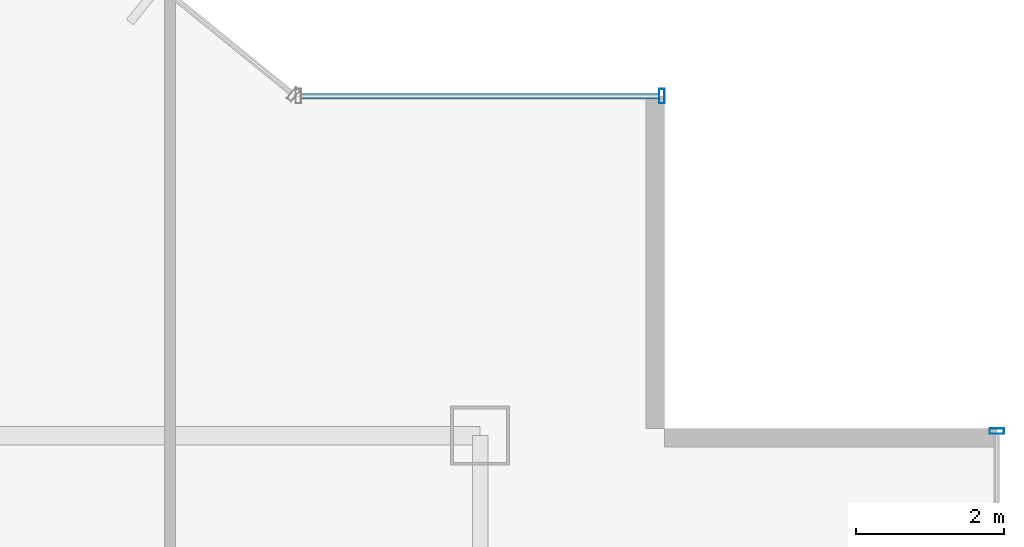
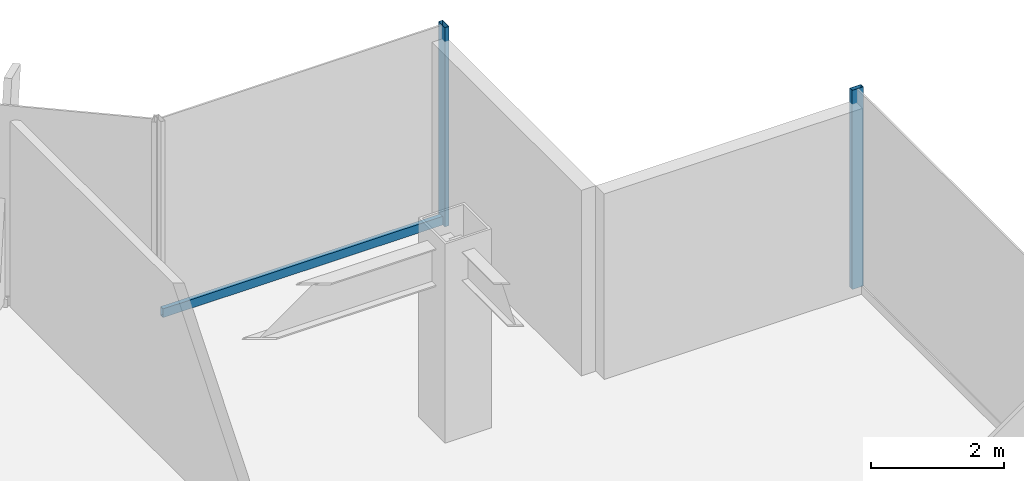
# One storey, part 19 of 26: 3 members, 2 elements without a shape of their own.
"""IFC4 building model written with IfcOpenShell, lengths in metres."""

import ifcopenshell
import ifcopenshell.guid

model = None  # the IFC model being written
_history = None  # IfcOwnerHistory: only IFC2X3 demands one
_inside = {}  # id of a spatial element -> (the spatial element, [elements in it])
_under = {}  # id of a project, library or spatial element -> (it, [spatial elements below it])
_declared = {}  # id of a project -> (the project, [libraries it declares])
_typed = {}  # id of a type object -> (the type object, [elements of that type])
_made_of = {}  # id of a material, layer set ... -> (it, [elements and type objects made of it])


def new_model(schema):
    """Start an empty IFC model of exactly this schema.

    Asked for "IFC4X3", IfcOpenShell would pick the latest addendum, in which some entities
    have other attributes; the version numbers below select the first issue.
    IFC2X3 requires an IfcOwnerHistory on every rooted entity: one is made here for all.
    """
    global model, _history
    if schema == "IFC4X3":
        model = ifcopenshell.file(schema_version=(4, 3, 0, 0))
    else:
        model = ifcopenshell.file(schema=schema)
    _inside.clear()
    _under.clear()
    _declared.clear()
    _typed.clear()
    _made_of.clear()
    _history = None
    if model.schema == "IFC2X3":
        org = make("IfcOrganization", Name="unknown")
        user = make(
            "IfcPersonAndOrganization",
            ThePerson=make("IfcPerson", FamilyName="unknown"),
            TheOrganization=org,
        )
        app = make(
            "IfcApplication",
            ApplicationDeveloper=org,
            Version="unknown",
            ApplicationFullName="unknown",
            ApplicationIdentifier="unknown",
        )
        _history = make(
            "IfcOwnerHistory",
            OwningUser=user,
            OwningApplication=app,
            ChangeAction="ADDED",
            CreationDate=0,
        )
    return model


def make(cls, **values):
    """One entity of the class cls with the attributes given. An attribute that is None is left unset."""
    return model.create_entity(
        cls, **{name: value for name, value in values.items() if value is not None}
    )


def rooted(cls, **values):
    """An entity with a GlobalId (a new one), such as an element, a storey or a relation."""
    return make(cls, GlobalId=ifcopenshell.guid.new(), OwnerHistory=_history, **values)


def si_unit(unit_type, name, prefix=None):
    """IfcSIUnit, for example si_unit("LENGTHUNIT", "METRE", prefix="MILLI")."""
    return make("IfcSIUnit", UnitType=unit_type, Prefix=prefix, Name=name)


def derived_unit(unit_type, elements):
    """IfcDerivedUnit: a product of units, each with its exponent."""
    return make(
        "IfcDerivedUnit",
        Elements=[
            make("IfcDerivedUnitElement", Unit=unit, Exponent=power)
            for unit, power in elements
        ],
        UnitType=unit_type,
    )


def assignment(units):
    """IfcUnitAssignment: the units of a project."""
    return None if units is None else make("IfcUnitAssignment", Units=units)


def point(xyz):
    """IfcCartesianPoint."""
    return None if xyz is None else make("IfcCartesianPoint", Coordinates=xyz)


def direction(xyz):
    """IfcDirection."""
    return None if xyz is None else make("IfcDirection", DirectionRatios=xyz)


def frame(location, z_axis=None, x_axis=None):
    """IfcAxis2Placement3D, a coordinate frame: its origin and axes. An axis left out is left unset."""
    return make(
        "IfcAxis2Placement3D",
        Location=point(location),
        Axis=direction(z_axis),
        RefDirection=direction(x_axis),
    )


def frame_2d(location, x_axis=None):
    """IfcAxis2Placement2D, a coordinate frame in the plane: its origin and x axis."""
    return make(
        "IfcAxis2Placement2D", Location=point(location), RefDirection=direction(x_axis)
    )


def origin():
    """The frame at (0, 0, 0) with its axes left unset."""
    return frame((0.0, 0.0, 0.0))


def origin_2d():
    """The frame at (0, 0) in the plane with its x axis left unset."""
    return frame_2d((0.0, 0.0))


def place(relative_to, where):
    """IfcLocalPlacement: puts the frame where relative to a parent placement (None: the world)."""
    return make(
        "IfcLocalPlacement", PlacementRelTo=relative_to, RelativePlacement=where
    )


def context(
    kind, dimensions, precision=None, world=None, true_north=None, identifier=None
):
    """IfcGeometricRepresentationContext, for example the 3D "Model" context."""
    return make(
        "IfcGeometricRepresentationContext",
        ContextIdentifier=identifier,
        ContextType=kind,
        CoordinateSpaceDimension=dimensions,
        Precision=precision,
        WorldCoordinateSystem=world,
        TrueNorth=true_north,
    )


def subcontext(parent, identifier, kind, view, scale=None):
    """IfcGeometricRepresentationSubContext, for example "Body" below "Model"."""
    return make(
        "IfcGeometricRepresentationSubContext",
        ContextIdentifier=identifier,
        ContextType=kind,
        ParentContext=parent,
        TargetScale=scale,
        TargetView=view,
    )


def project(units=None, contexts=None):
    """IfcProject with its units and contexts."""
    return rooted(
        "IfcProject",
        Name="project",
        RepresentationContexts=contexts,
        UnitsInContext=assignment(units),
    )


def spatial(cls, under=None, at=None, **own):
    """A site, building, storey or space (cls), placed at a placement, below another one or the project."""
    s = rooted(cls, ObjectPlacement=at, **own)
    if under is not None:
        _under.setdefault(under.id(), (under, []))[1].append(s)
    return s


def profile(cls, at=None, kind="AREA", **sizes):
    """A parametric profile (cls). Its sizes go by their IFC names, for example OverallWidth=200.0."""
    return make(cls, ProfileType=kind, Position=at, **sizes)


def hollow_rectangle(**sizes):
    """IfcRectangleHollowProfileDef."""
    return profile("IfcRectangleHollowProfileDef", **sizes)


def extrude(swept, where, along, depth):
    """IfcExtrudedAreaSolid: the profile swept, set in the frame where, extruded along a direction by depth."""
    return make(
        "IfcExtrudedAreaSolid",
        SweptArea=swept,
        Position=where,
        ExtrudedDirection=direction(along),
        Depth=depth,
    )


def shape(context_of_items, identifier, shape_type, items):
    """IfcShapeRepresentation: the items that make up one representation, for example the "Body"."""
    return make(
        "IfcShapeRepresentation",
        ContextOfItems=context_of_items,
        RepresentationIdentifier=identifier,
        RepresentationType=shape_type,
        Items=items,
    )


def source(mapping_origin, context_of_items, identifier, shape_type, items):
    """IfcRepresentationMap: a shape defined once, which mapped items show again and again."""
    return make(
        "IfcRepresentationMap",
        MappingOrigin=mapping_origin,
        MappedRepresentation=shape(context_of_items, identifier, shape_type, items),
    )


def transform(
    local_origin,
    x_axis=None,
    y_axis=None,
    z_axis=None,
    scale=None,
    scale2=None,
    scale3=None,
    uniform=True,
):
    """IfcCartesianTransformationOperator3D, or its non-uniform kind. x_axis, y_axis, z_axis: its Axis1, 2, 3."""
    if uniform:
        return make(
            "IfcCartesianTransformationOperator3D",
            Axis1=direction(x_axis),
            Axis2=direction(y_axis),
            LocalOrigin=point(local_origin),
            Scale=scale,
            Axis3=direction(z_axis),
        )
    return make(
        "IfcCartesianTransformationOperator3DnonUniform",
        Axis1=direction(x_axis),
        Axis2=direction(y_axis),
        LocalOrigin=point(local_origin),
        Scale=scale,
        Axis3=direction(z_axis),
        Scale2=scale2,
        Scale3=scale3,
    )


def mapped(mapping_source, mapping_target):
    """IfcMappedItem: shows the shape of a source again, moved by a transform."""
    return make(
        "IfcMappedItem", MappingSource=mapping_source, MappingTarget=mapping_target
    )


def material(Name=None, Category=None):
    """IfcMaterial."""
    return make("IfcMaterial", Name=Name, Category=Category)


def material_profile(
    of_material, cross_section, Name=None, Category=None, Priority=None
):
    """IfcMaterialProfile: a cross section and its material."""
    return make(
        "IfcMaterialProfile",
        Name=Name,
        Material=of_material,
        Profile=cross_section,
        Priority=Priority,
        Category=Category,
    )


def profile_set(profiles, Name=None, composite=None):
    """IfcMaterialProfileSet."""
    return make(
        "IfcMaterialProfileSet",
        Name=Name,
        MaterialProfiles=profiles,
        CompositeProfile=composite,
    )


def made_of(thing, what):
    """Note that an element or type object is made of a material, layer set ...; save() writes the relation."""
    if what is not None:
        _made_of.setdefault(what.id(), (what, []))[1].append(thing)
    return thing


def type_object(cls, material=None, **own):
    """A type object (cls), such as IfcWallType, which elements share."""
    return made_of(rooted(cls, **own), material)


def element(
    cls,
    number,
    at=None,
    inside=None,
    cuts=None,
    type_object=None,
    material=None,
    context=None,
    identifier="Body",
    shape_type=None,
    held_by="IfcProductDefinitionShape",
    body=None,
    shapes=None,
    **own,
):
    """One element of the class cls, such as IfcWall. Its Tag is "e" and its number.

    at: its placement. inside: the storey or other place that contains it. cuts: it is an
    opening in that element (IfcRelVoidsElement). A single representation is given by context,
    identifier, shape_type and body (its items); several are given by shapes. held_by: the class
    of the entity that holds the representations. save() writes the other relations.
    """
    e = rooted(cls, Tag="e%d" % number, ObjectPlacement=at, **own)
    if body is not None:
        shapes = [shape(context, identifier, shape_type, body)]
    if shapes is not None:
        e.Representation = make(held_by, Representations=shapes)
    if inside is not None:
        _inside.setdefault(inside.id(), (inside, []))[1].append(e)
    if cuts is not None:
        rooted(
            "IfcRelVoidsElement", RelatingBuildingElement=cuts, RelatedOpeningElement=e
        )
    if type_object is not None:
        _typed.setdefault(type_object.id(), (type_object, []))[1].append(e)
    return made_of(e, material)


def aggregate(whole, parts):
    """IfcRelAggregates: a whole, such as a stair, and the parts it consists of."""
    return rooted("IfcRelAggregates", RelatingObject=whole, RelatedObjects=parts)


def save(model, path):
    """Write the relations noted so far, then the file.

    IfcRelAggregates (storeys below a building ...), IfcRelContainedInSpatialStructure (elements
    in a storey), IfcRelDefinesByType, IfcRelAssociatesMaterial and IfcRelDeclares: one each for
    every whole, place, type object, material and project.
    """
    for whole, parts in _under.values():
        aggregate(whole, parts)
    for where, things in _inside.values():
        rooted(
            "IfcRelContainedInSpatialStructure",
            RelatedElements=things,
            RelatingStructure=where,
        )
    for kind, things in _typed.values():
        rooted("IfcRelDefinesByType", RelatedObjects=things, RelatingType=kind)
    for what, things in _made_of.values():
        rooted("IfcRelAssociatesMaterial", RelatedObjects=things, RelatingMaterial=what)
    for by, libraries in _declared.values():
        rooted("IfcRelDeclares", RelatingContext=by, RelatedDefinitions=libraries)
    model.write(path)


model = new_model("IFC4")

# Units and contexts
model_context = context("Model", 3, precision=1e-05, world=origin(), true_north=direction((0.0, 1.0)))
body_context = subcontext(model_context, "Body", "Model", "MODEL_VIEW")
ifc_project = project(units=[si_unit("LENGTHUNIT", "METRE"), si_unit("AREAUNIT", "SQUARE_METRE"), si_unit("VOLUMEUNIT", "CUBIC_METRE"), si_unit("PLANEANGLEUNIT", "RADIAN"), si_unit("MASSUNIT", "GRAM", prefix="KILO"), derived_unit("THERMALTRANSMITTANCEUNIT", [(si_unit("POWERUNIT", "WATT"), 1), (si_unit("LENGTHUNIT", "METRE"), -2), (si_unit("THERMODYNAMICTEMPERATUREUNIT", "KELVIN"), -1)])], contexts=[model_context])

# Site, building, storey
site_placement = place(None, origin())
site = spatial("IfcSite", under=ifc_project, at=site_placement, CompositionType="ELEMENT")
building_placement = place(site_placement, origin())
building = spatial("IfcBuilding", under=site, at=building_placement, Name="Skarnbrae Concourse Arena and Tower", CompositionType="ELEMENT")
storey_placement = place(building_placement, frame((0.0, 0.0, 114.199951171875)))
storey = spatial("IfcBuildingStorey", under=building, at=storey_placement, Name="L28", CompositionType="ELEMENT", Elevation=114.199951171875)

# Curtain wall, member
ifc_material = material(Name="Bronze anodised aluminium 6063-T6", Category="aluminium")
curtain_wall_type = type_object("IfcCurtainWallType", Name="CW-SYS-04-MIDZONE", PredefinedType="USERDEFINED", material=ifc_material)
curtain_wall_1_placement = place(storey_placement, origin())
curtain_wall_1 = element("IfcCurtainWall", 1, at=curtain_wall_1_placement, inside=storey, type_object=curtain_wall_type, Name="L28 Unitised curtain wall CW-L28-E04", ObjectType="UNITISED CURTAIN WALL", PredefinedType="USERDEFINED")
ifc_material_profile_1 = material_profile(ifc_material, hollow_rectangle(XDim=0.074951171875, YDim=0.195068359375, WallThickness=0.00439453125, at=origin_2d()), Name="ALU-MULL-75X195")
ifc_profile_set_1 = profile_set([ifc_material_profile_1], Name="Bronze anodised aluminium 6063-T6")
member_type_1 = type_object("IfcMemberType", Name="CWM-CW-04", PredefinedType="MULLION", material=ifc_profile_set_1)
shared_shape_1 = source(origin(), body_context, "Body", "SweptSolid", [
    extrude(hollow_rectangle(XDim=0.074951171875, YDim=0.195068359375, WallThickness=0.00439453125, at=origin_2d()), origin(), (0.0, 0.0, 1.0), 3.650146484375),
])
member_1_placement = place(storey_placement, frame((56.0, 34.46240234375, 0.0), z_axis=(0.0, 0.0, 1.0), x_axis=(0.0, 1.0, 0.0)))
member_1 = element("IfcMember", 2, at=member_1_placement, type_object=member_type_1, Name="CW-L28-E04 Mullion 5", PredefinedType="MULLION", context=body_context, shape_type="MappedRepresentation", body=[
    mapped(shared_shape_1, transform((0.0, 0.0, 0.0))),
])
aggregate(curtain_wall_1, [member_1])

# Curtain wall, members
curtain_wall_2_placement = place(storey_placement, origin())
curtain_wall_2 = element("IfcCurtainWall", 3, at=curtain_wall_2_placement, inside=storey, type_object=curtain_wall_type, Name="L28 Unitised curtain wall CW-L28-E07", ObjectType="UNITISED CURTAIN WALL", PredefinedType="USERDEFINED")
member_2_placement = place(storey_placement, frame((51.46240234375, 39.0, 0.0), z_axis=(0.0, 0.0, 1.0), x_axis=(-1.0, 0.0, 0.0)))
member_2 = element("IfcMember", 4, at=member_2_placement, type_object=member_type_1, Name="CW-L28-E07 Mullion 1", PredefinedType="MULLION", context=body_context, shape_type="MappedRepresentation", body=[
    mapped(shared_shape_1, transform((0.0, 0.0, 0.0))),
])
ifc_material_profile_2 = material_profile(ifc_material, hollow_rectangle(XDim=0.074951171875, YDim=0.159912109375, WallThickness=0.00439453125, at=origin_2d()), Name="ALU-TRAN-75X160")
ifc_profile_set_2 = profile_set([ifc_material_profile_2], Name="Bronze anodised aluminium 6063-T6")
member_type_2 = type_object("IfcMemberType", Name="CWT-CW-04", PredefinedType="USERDEFINED", material=ifc_profile_set_2)
shared_shape_2 = source(origin(), body_context, "Body", "SweptSolid", [
    extrude(hollow_rectangle(XDim=0.074951171875, YDim=0.159912109375, WallThickness=0.00439453125, at=origin_2d()), origin(), (0.0, 0.0, 1.0), 4.85009765625),
])
member_3_placement = place(storey_placement, frame((51.425048828125, 39.0, 0.080078125), z_axis=(-1.0, 0.0, 0.0), x_axis=(0.0, -1.0, 0.0)))
member_3 = element("IfcMember", 5, at=member_3_placement, type_object=member_type_2, Name="CW-L28-E07 Transom 1", ObjectType="TRANSOM", PredefinedType="USERDEFINED", context=body_context, shape_type="MappedRepresentation", body=[
    mapped(shared_shape_2, transform((0.0, 0.0, 0.0))),
])
aggregate(curtain_wall_2, [member_2, member_3])

save(model, "model.ifc")
